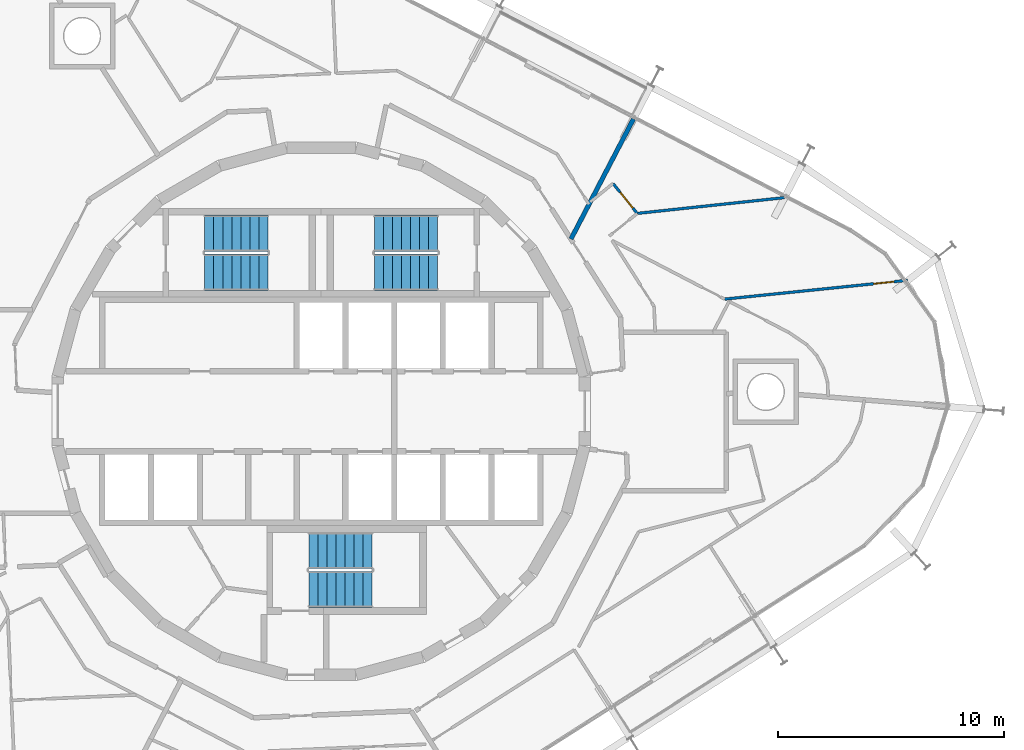
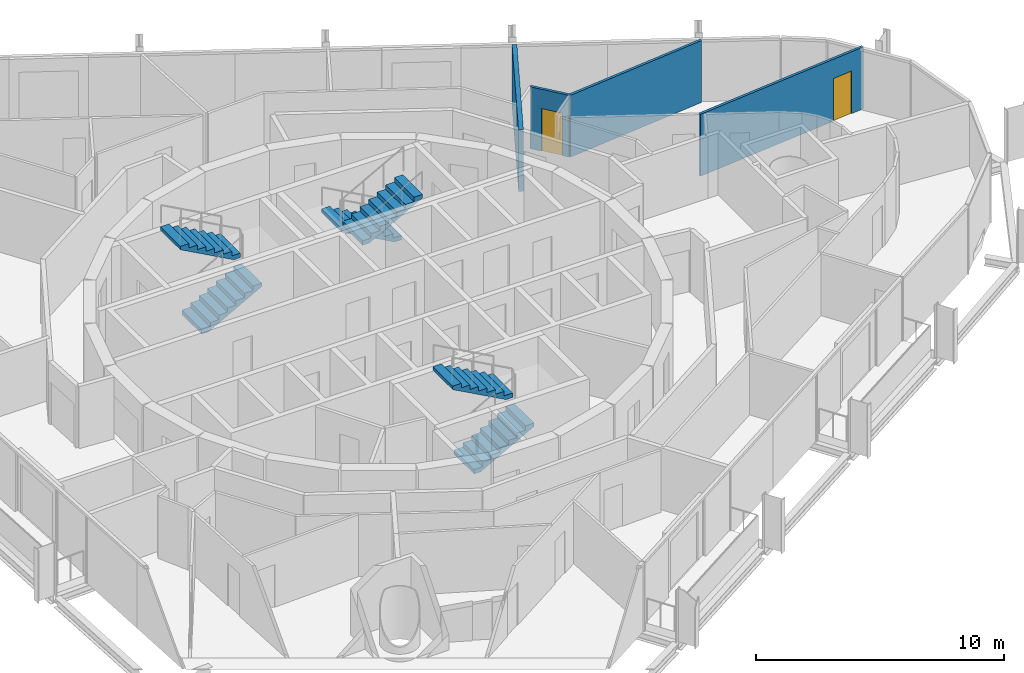
# One storey, part 17 of 18: 6 stair flights, 4 walls, 2 doors, 2 openings, 3 elements without a shape of their own.
"""IFC4 building model written with IfcOpenShell, lengths in metres."""

from ifc_helpers import new_model, si_unit, direction, frame, frame_2d, origin, place, context, subcontext, project, spatial, polyline, rectangle, outline, extrude, material, layer, layer_set, type_object, element, fill, aggregate, save


model = new_model("IFC4")

# Units and contexts
model_context = context("Model", 3, precision=1e-05, world=origin(), true_north=direction((0.0, 1.0)))
body_context = subcontext(model_context, "Body", "Model", "MODEL_VIEW")
ifc_project = project(units=[si_unit("LENGTHUNIT", "METRE"), si_unit("AREAUNIT", "SQUARE_METRE"), si_unit("VOLUMEUNIT", "CUBIC_METRE"), si_unit("PLANEANGLEUNIT", "RADIAN"), si_unit("MASSUNIT", "GRAM", prefix="KILO")], contexts=[model_context])

# Site, building, storey
site_placement = place(None, origin())
site = spatial("IfcSite", under=ifc_project, at=site_placement, CompositionType="ELEMENT")
building_placement = place(site_placement, origin())
building = spatial("IfcBuilding", under=site, at=building_placement, Name="Spindle Arch Residences", CompositionType="ELEMENT")
storey_placement = place(building_placement, frame((0.0, 0.0, 254.699951171875)))
storey = spatial("IfcBuildingStorey", under=building, at=storey_placement, Name="L65", CompositionType="ELEMENT", Elevation=254.699951171875)

# Wall, opening, door
ifc_material_1 = material(Name="Plasterboard on steel studs", Category="steel")
ifc_layer_1 = layer(ifc_material_1, 0.1201171875)
ifc_layer_set_1 = layer_set([ifc_layer_1], Name="Flat partition 120")
wall_type_1 = type_object("IfcWallType", Name="Flat partition 120", PredefinedType="PARTITIONING", material=ifc_layer_set_1)
wall_1_placement = place(storey_placement, frame((13.968505859375, 8.747314453125, 0.0), z_axis=(0.0, 0.0, 1.0), x_axis=(-0.629359312443, 0.777114441921, 0.0)))
wall_1 = element("IfcWall", 1, at=wall_1_placement, inside=storey, type_object=wall_type_1, Name="Flat partition R6C0-W045", PredefinedType="PARTITIONING", context=body_context, shape_type="SweptSolid", body=[
    extrude(rectangle(XDim=1.7001953125, YDim=0.1201171875, at=frame_2d((0.85009765625, 0.0))), origin(), (0.0, 0.0, 1.0), 3.050048828125),
])
opening_1_placement = place(wall_1_placement, frame((0.300048828125, 0.0, 0.0)))
opening_1 = element("IfcOpeningElement", 2, at=opening_1_placement, cuts=wall_1, Name="Opening R6C0-ID03", PredefinedType="OPENING", context=body_context, shape_type="SweptSolid", body=[
    extrude(rectangle(XDim=0.89990234375, YDim=2.10009765625, at=frame_2d((0.449951171875, 1.050048828125))), frame((0.0, 0.070068359375, 0.0), z_axis=(0.0, -1.0, 0.0), x_axis=(1.0, 0.0, 0.0)), (0.0, 0.0, 1.0), 0.14013671875),
])
ifc_material_2 = material(Name="Timber door set", Category="wood")
door_type = type_object("IfcDoorType", Name="Room door 900x2100", OperationType="NOTDEFINED", PredefinedType="DOOR", material=ifc_material_2)
door_1_placement = place(opening_1_placement, origin())
door_1 = element("IfcDoor", 3, at=door_1_placement, inside=storey, type_object=door_type, Name="Room door R6C0-ID03", OperationType="SINGLE_SWING_LEFT", OverallHeight=2.10009765625, OverallWidth=0.89990234375, PredefinedType="DOOR", context=body_context, shape_type="SweptSolid", body=[
    extrude(rectangle(XDim=0.89990234375, YDim=2.10009765625, at=frame_2d((0.449951171875, 1.050048828125))), frame((0.0, 0.02490234375, 0.0), z_axis=(0.0, -1.0, 0.0), x_axis=(1.0, 0.0, 0.0)), (0.0, 0.0, 1.0), 0.050048828125),
])
fill(opening_1, door_1)

wall_2_placement = place(storey_placement, frame((25.907958984375, 5.7900390625, 0.0), z_axis=(0.0, 0.0, 1.0), x_axis=(-0.994752982456, -0.102305932847, 0.0)))
wall_2 = element("IfcWall", 4, at=wall_2_placement, inside=storey, type_object=wall_type_1, Name="Flat partition R6C0-W053", PredefinedType="PARTITIONING", context=body_context, shape_type="SweptSolid", body=[
    extrude(rectangle(XDim=8.115966796875, YDim=0.1201171875, at=frame_2d((4.05810546875, 0.0))), origin(), (0.0, 0.0, 1.0), 3.050048828125),
])
opening_2_placement = place(wall_2_placement, frame((0.60009765625, 0.0, 0.0)))
opening_2 = element("IfcOpeningElement", 5, at=opening_2_placement, cuts=wall_2, Name="Opening R6C0-ID04", PredefinedType="OPENING", context=body_context, shape_type="SweptSolid", body=[
    extrude(rectangle(XDim=0.89990234375, YDim=2.10009765625, at=frame_2d((0.449951171875, 1.050048828125))), frame((0.0, 0.070068359375, 0.0), z_axis=(0.0, -1.0, 0.0), x_axis=(1.0, 0.0, 0.0)), (0.0, 0.0, 1.0), 0.14013671875),
])
door_2_placement = place(opening_2_placement, origin())
door_2 = element("IfcDoor", 6, at=door_2_placement, inside=storey, type_object=door_type, Name="Room door R6C0-ID04", OperationType="SINGLE_SWING_LEFT", OverallHeight=2.10009765625, OverallWidth=0.89990234375, PredefinedType="DOOR", context=body_context, shape_type="SweptSolid", body=[
    extrude(rectangle(XDim=0.89990234375, YDim=2.10009765625, at=frame_2d((0.449951171875, 1.050048828125))), frame((0.0, 0.02490234375, 0.0), z_axis=(0.0, -1.0, 0.0), x_axis=(1.0, 0.0, 0.0)), (0.0, 0.0, 1.0), 0.050048828125),
])
fill(opening_2, door_2)

# Walls
wall_3_placement = place(storey_placement, frame((20.480224609375, 9.44482421875, 0.0), z_axis=(0.0, 0.0, 1.0), x_axis=(-0.994311974195, -0.106506797776, 0.0)))
element("IfcWall", 7, at=wall_3_placement, inside=storey, type_object=wall_type_1, Name="Flat partition R6C0-W056", PredefinedType="PARTITIONING", context=body_context, shape_type="SweptSolid", body=[
    extrude(rectangle(XDim=6.549072265625, YDim=0.1201171875, at=frame_2d((3.2744140625, 0.0))), origin(), (0.0, 0.0, 1.0), 3.050048828125),
])
ifc_material_3 = material(Name="Calcium silicate block, plastered")
ifc_layer_2 = layer(ifc_material_3, 0.199951171875)
ifc_layer_set_2 = layer_set([ifc_layer_2], Name="Flat party wall 200")
wall_type_2 = type_object("IfcWallType", Name="Flat party wall 200", PredefinedType="STANDARD", material=ifc_layer_set_2)
wall_4_placement = place(storey_placement, frame((13.801025390625, 12.921875, 0.0), z_axis=(0.0, 0.0, 1.0), x_axis=(-0.461726485624, -0.887022351733, 0.0)))
element("IfcWall", 8, at=wall_4_placement, inside=storey, type_object=wall_type_2, Name="Flat party wall R6C0-W030", PredefinedType="STANDARD", context=body_context, shape_type="SweptSolid", body=[
    extrude(rectangle(XDim=5.984375, YDim=0.199951171875, at=frame_2d((2.9921875, 0.0))), origin(), (0.0, 0.0, 1.0), 3.050048828125),
])

# Stair, stair flights
ifc_material_4 = material(Name="Concrete C50/60", Category="concrete")
stair_type = type_object("IfcStairType", Name="Exit stair 16 risers", PredefinedType="HALF_TURN_STAIR", material=ifc_material_4)
stair_1_placement = place(storey_placement, origin())
stair_1 = element("IfcStair", 9, at=stair_1_placement, inside=storey, type_object=stair_type, Name="L65 Exit stair ST1", PredefinedType="HALF_TURN_STAIR")
ifc_material_5 = material(Name="Concrete C50/60", Category="concrete")
stair_flight_type = type_object("IfcStairFlightType", Name="Exit stair flight", PredefinedType="STRAIGHT", material=ifc_material_5)
stair_flight_1_placement = place(storey_placement, frame((5.14990234375, 7.8701171875, 0.0), z_axis=(0.0, 0.0, 1.0), x_axis=(-1.0, 0.0, 0.0)))
stair_flight_1 = element("IfcStairFlight", 10, at=stair_flight_1_placement, type_object=stair_flight_type, Name="ST1 flight 1", NumberOfRisers=8, NumberOfTreads=7, PredefinedType="STRAIGHT", RiserHeight=0.21875, TreadLength=0.4, context=body_context, shape_type="SweptSolid", body=[
    extrude(outline(polyline([(0.0, 0.0), (0.0, 0.21875), (0.39990234375, 0.21875), (0.39990234375, 0.4375), (0.800048828125, 0.4375), (0.800048828125, 0.65625), (1.199951171875, 0.65625), (1.199951171875, 0.875), (1.60009765625, 0.875), (1.60009765625, 1.09375), (2.0, 1.09375), (2.0, 1.3125), (2.39990234375, 1.3125), (2.39990234375, 1.53125), (2.800048828125, 1.53125), (2.800048828125, 1.75), (2.800048828125, 1.3603515625), (0.3125, 0.0), (0.0, 0.0)])), frame((0.0, 0.800048828125, 0.0), z_axis=(0.0, -1.0, 0.0), x_axis=(1.0, 0.0, 0.0)), (0.0, 0.0, 1.0), 1.60009765625),
])
stair_flight_2_placement = place(storey_placement, frame((2.35009765625, 6.14990234375, 1.75), z_axis=(0.0, 0.0, 1.0), x_axis=(1.0, 0.0, 0.0)))
stair_flight_2 = element("IfcStairFlight", 11, at=stair_flight_2_placement, type_object=stair_flight_type, Name="ST1 flight 2", NumberOfRisers=8, NumberOfTreads=7, PredefinedType="STRAIGHT", RiserHeight=0.21875, TreadLength=0.4, context=body_context, shape_type="SweptSolid", body=[
    extrude(outline(polyline([(0.0, 0.0), (0.0, 0.21875), (0.39990234375, 0.21875), (0.39990234375, 0.4375), (0.800048828125, 0.4375), (0.800048828125, 0.65625), (1.199951171875, 0.65625), (1.199951171875, 0.875), (1.60009765625, 0.875), (1.60009765625, 1.09375), (2.0, 1.09375), (2.0, 1.3125), (2.39990234375, 1.3125), (2.39990234375, 1.53125), (2.800048828125, 1.53125), (2.800048828125, 1.75), (2.800048828125, 1.3603515625), (0.3125, 0.0), (0.0, 0.0)])), frame((0.0, 0.800048828125, 0.0), z_axis=(0.0, -1.0, 0.0), x_axis=(1.0, 0.0, 0.0)), (0.0, 0.0, 1.0), 1.60009765625),
])
aggregate(stair_1, [stair_flight_1, stair_flight_2])

stair_2_placement = place(storey_placement, origin())
stair_2 = element("IfcStair", 12, at=stair_2_placement, inside=storey, type_object=stair_type, Name="L65 Exit stair ST2", PredefinedType="HALF_TURN_STAIR")
stair_flight_3_placement = place(storey_placement, frame((-5.14990234375, 6.14990234375, 0.0), z_axis=(0.0, 0.0, 1.0), x_axis=(1.0, 0.0, 0.0)))
stair_flight_3 = element("IfcStairFlight", 13, at=stair_flight_3_placement, type_object=stair_flight_type, Name="ST2 flight 1", NumberOfRisers=8, NumberOfTreads=7, PredefinedType="STRAIGHT", RiserHeight=0.21875, TreadLength=0.4, context=body_context, shape_type="SweptSolid", body=[
    extrude(outline(polyline([(0.0, 0.0), (0.0, 0.21875), (0.39990234375, 0.21875), (0.39990234375, 0.4375), (0.800048828125, 0.4375), (0.800048828125, 0.65625), (1.199951171875, 0.65625), (1.199951171875, 0.875), (1.60009765625, 0.875), (1.60009765625, 1.09375), (2.0, 1.09375), (2.0, 1.3125), (2.39990234375, 1.3125), (2.39990234375, 1.53125), (2.800048828125, 1.53125), (2.800048828125, 1.75), (2.800048828125, 1.3603515625), (0.3125, 0.0), (0.0, 0.0)])), frame((0.0, 0.800048828125, 0.0), z_axis=(0.0, -1.0, 0.0), x_axis=(1.0, 0.0, 0.0)), (0.0, 0.0, 1.0), 1.60009765625),
])
stair_flight_4_placement = place(storey_placement, frame((-2.35009765625, 7.8701171875, 1.75), z_axis=(0.0, 0.0, 1.0), x_axis=(-1.0, 0.0, 0.0)))
stair_flight_4 = element("IfcStairFlight", 14, at=stair_flight_4_placement, type_object=stair_flight_type, Name="ST2 flight 2", NumberOfRisers=8, NumberOfTreads=7, PredefinedType="STRAIGHT", RiserHeight=0.21875, TreadLength=0.4, context=body_context, shape_type="SweptSolid", body=[
    extrude(outline(polyline([(0.0, 0.0), (0.0, 0.21875), (0.39990234375, 0.21875), (0.39990234375, 0.4375), (0.800048828125, 0.4375), (0.800048828125, 0.65625), (1.199951171875, 0.65625), (1.199951171875, 0.875), (1.60009765625, 0.875), (1.60009765625, 1.09375), (2.0, 1.09375), (2.0, 1.3125), (2.39990234375, 1.3125), (2.39990234375, 1.53125), (2.800048828125, 1.53125), (2.800048828125, 1.75), (2.800048828125, 1.3603515625), (0.3125, 0.0), (0.0, 0.0)])), frame((0.0, 0.800048828125, 0.0), z_axis=(0.0, -1.0, 0.0), x_axis=(1.0, 0.0, 0.0)), (0.0, 0.0, 1.0), 1.60009765625),
])
aggregate(stair_2, [stair_flight_3, stair_flight_4])

stair_3_placement = place(storey_placement, origin())
stair_3 = element("IfcStair", 15, at=stair_3_placement, inside=storey, type_object=stair_type, Name="L65 Exit stair ST3", PredefinedType="HALF_TURN_STAIR")
stair_flight_5_placement = place(storey_placement, frame((-0.550048828125, -7.8701171875, 0.0), z_axis=(0.0, 0.0, 1.0), x_axis=(1.0, 0.0, 0.0)))
stair_flight_5 = element("IfcStairFlight", 16, at=stair_flight_5_placement, type_object=stair_flight_type, Name="ST3 flight 1", NumberOfRisers=8, NumberOfTreads=7, PredefinedType="STRAIGHT", RiserHeight=0.21875, TreadLength=0.4, context=body_context, shape_type="SweptSolid", body=[
    extrude(outline(polyline([(0.0, 0.0), (0.0, 0.21875), (0.39990234375, 0.21875), (0.39990234375, 0.4375), (0.800048828125, 0.4375), (0.800048828125, 0.65625), (1.199951171875, 0.65625), (1.199951171875, 0.875), (1.60009765625, 0.875), (1.60009765625, 1.09375), (2.0, 1.09375), (2.0, 1.3125), (2.39990234375, 1.3125), (2.39990234375, 1.53125), (2.800048828125, 1.53125), (2.800048828125, 1.75), (2.800048828125, 1.3603515625), (0.3125, 0.0), (0.0, 0.0)])), frame((0.0, 0.800048828125, 0.0), z_axis=(0.0, -1.0, 0.0), x_axis=(1.0, 0.0, 0.0)), (0.0, 0.0, 1.0), 1.60009765625),
])
stair_flight_6_placement = place(storey_placement, frame((2.25, -6.14990234375, 1.75), z_axis=(0.0, 0.0, 1.0), x_axis=(-1.0, 0.0, 0.0)))
stair_flight_6 = element("IfcStairFlight", 17, at=stair_flight_6_placement, type_object=stair_flight_type, Name="ST3 flight 2", NumberOfRisers=8, NumberOfTreads=7, PredefinedType="STRAIGHT", RiserHeight=0.21875, TreadLength=0.4, context=body_context, shape_type="SweptSolid", body=[
    extrude(outline(polyline([(0.0, 0.0), (0.0, 0.21875), (0.39990234375, 0.21875), (0.39990234375, 0.4375), (0.800048828125, 0.4375), (0.800048828125, 0.65625), (1.199951171875, 0.65625), (1.199951171875, 0.875), (1.60009765625, 0.875), (1.60009765625, 1.09375), (2.0, 1.09375), (2.0, 1.3125), (2.39990234375, 1.3125), (2.39990234375, 1.53125), (2.800048828125, 1.53125), (2.800048828125, 1.75), (2.800048828125, 1.3603515625), (0.3125, 0.0), (0.0, 0.0)])), frame((0.0, 0.800048828125, 0.0), z_axis=(0.0, -1.0, 0.0), x_axis=(1.0, 0.0, 0.0)), (0.0, 0.0, 1.0), 1.60009765625),
])
aggregate(stair_3, [stair_flight_5, stair_flight_6])

save(model, "model.ifc")
